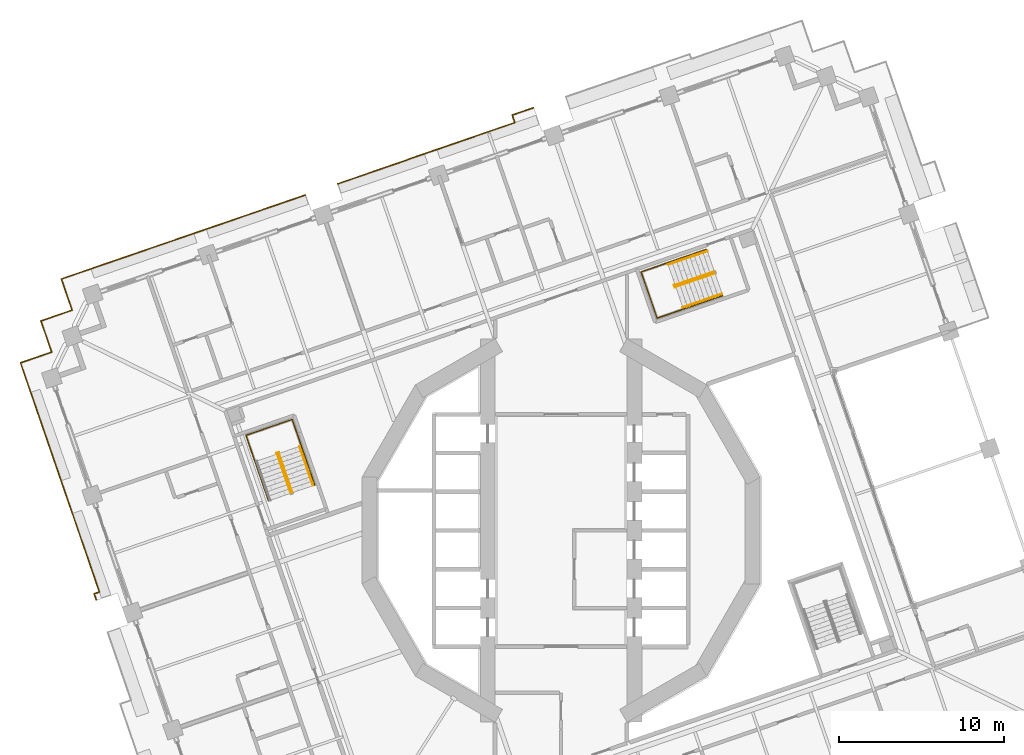
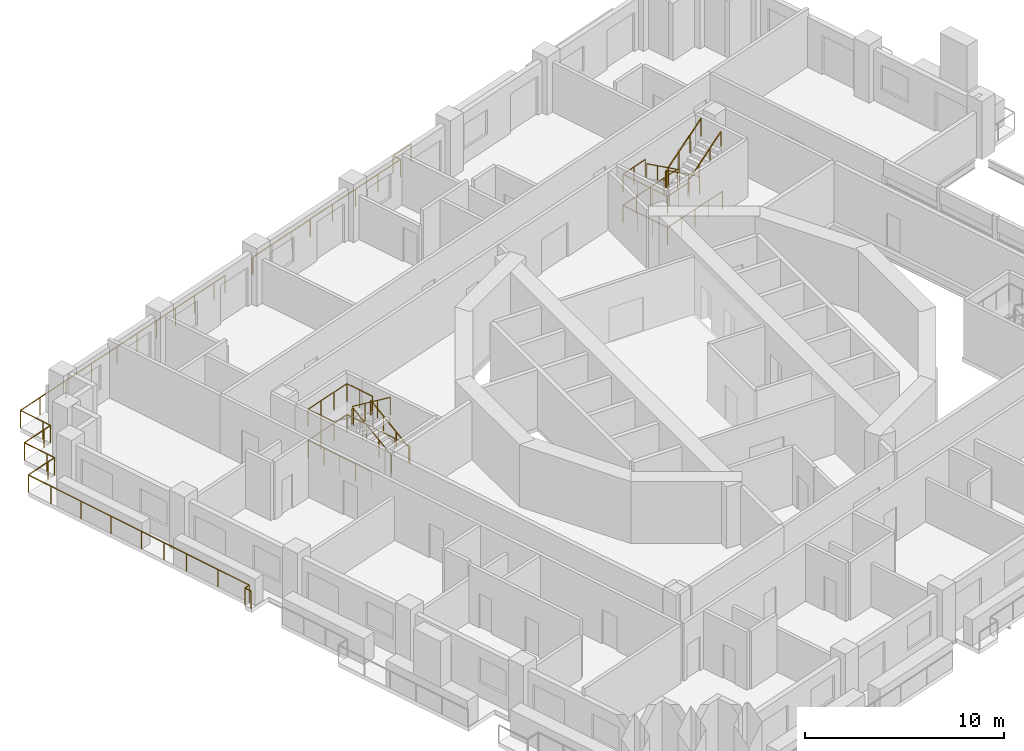
# One storey, part 19 of 21: 14 railings.
"""IFC4 building model written with IfcOpenShell, lengths in metres."""

from ifc_helpers import new_model, si_unit, direction, frame, origin, origin_2d, place, context, subcontext, project, spatial, circle, extrude, material, type_object, element, save


model = new_model("IFC4")

# Units and contexts
model_context = context("Model", 3, precision=1e-05, world=origin(), true_north=direction((0.0, 1.0)))
body_context = subcontext(model_context, "Body", "Model", "MODEL_VIEW")
ifc_project = project(units=[si_unit("LENGTHUNIT", "METRE"), si_unit("AREAUNIT", "SQUARE_METRE"), si_unit("VOLUMEUNIT", "CUBIC_METRE"), si_unit("PLANEANGLEUNIT", "RADIAN"), si_unit("MASSUNIT", "GRAM", prefix="KILO")], contexts=[model_context])

# Site, building, storey
site_placement = place(None, origin())
site = spatial("IfcSite", under=ifc_project, at=site_placement, CompositionType="ELEMENT")
building_placement = place(site_placement, origin())
building = spatial("IfcBuilding", under=site, at=building_placement, Name="Cantera Rosa Tower", CompositionType="ELEMENT")
storey_placement = place(building_placement, frame((0.0, 0.0, 119.300048828125)))
storey = spatial("IfcBuildingStorey", under=building, at=storey_placement, Name="L24", CompositionType="ELEMENT", Elevation=119.300048828125)

# Railings
ifc_material_1 = material(Name="Stainless steel and laminated glass", Category="steel")
railing_type_1 = type_object("IfcRailingType", Name="GUARD 1100", PredefinedType="BALUSTRADE", material=ifc_material_1)
railing_1_placement = place(storey_placement, frame((-29.6689453125, 13.369140625, 0.0)))
element("IfcRailing", 1, at=railing_1_placement, inside=storey, type_object=railing_type_1, Name="GUARD L24-5", PredefinedType="BALUSTRADE", context=body_context, shape_type="SweptSolid", body=[
    extrude(circle(Radius=0.030029296875, at=origin_2d()), frame((0.0, 0.0, 1.070068359375), z_axis=(-0.32573481536, 0.945461173218, 0.0), x_axis=(-0.945461173218, -0.32573481536, 0.0)), (0.0, 0.0, 1.0), 0.5),
    extrude(circle(Radius=0.030029296875, at=origin_2d()), frame((-0.162841796875, 0.47265625, 1.070068359375), z_axis=(-0.325489086777, 0.945545797087, 0.0), x_axis=(-0.945545797087, -0.325489086777, 0.0)), (0.0, 0.0, 1.0), 1.500244140625),
    extrude(circle(Radius=0.030029296875, at=origin_2d()), frame((-0.651123046875, 1.89111328125, 1.070068359375), z_axis=(0.945528551438, 0.325539181077, 0.0), x_axis=(-0.325539181077, 0.945528551438, 0.0)), (0.0, 0.0, 1.0), 1.5),
    extrude(circle(Radius=0.030029296875, at=origin_2d()), frame((0.76708984375, 2.37939453125, 1.070068359375), z_axis=(0.945517123015, 0.325572373037, 0.0), x_axis=(-0.325572373037, 0.945517123015, 0.0)), (0.0, 0.0, 1.0), 5.900146484375),
    extrude(circle(Radius=0.030029296875, at=origin_2d()), frame((6.345703125, 4.30029296875, 1.070068359375), z_axis=(0.945528551438, 0.325539181077, 0.0), x_axis=(-0.325539181077, 0.945528551438, 0.0)), (0.0, 0.0, 1.0), 2.999755859375),
    extrude(circle(Radius=0.030029296875, at=origin_2d()), frame((9.18212890625, 5.27685546875, 1.070068359375), z_axis=(0.945513227049, 0.325583687361, 0.0), x_axis=(-0.325583687361, 0.945513227049, 0.0)), (0.0, 0.0, 1.0), 4.400146484375),
    extrude(circle(Radius=0.030029296875, at=origin_2d()), frame((13.342529296875, 6.70947265625, 1.070068359375), z_axis=(0.945522007901, 0.325558186158, 0.0), x_axis=(-0.325558186158, 0.945522007901, 0.0)), (0.0, 0.0, 1.0), 0.869873046875),
    extrude(circle(Radius=0.02490234375, at=origin_2d()), origin(), (0.0, 0.0, 1.0), 1.0400390625),
    extrude(circle(Radius=0.02490234375, at=origin_2d()), frame((-0.162841796875, 0.47265625, 0.0)), (0.0, 0.0, 1.0), 1.0400390625),
    extrude(circle(Radius=0.02490234375, at=origin_2d()), frame((-0.651123046875, 1.89111328125, 0.0)), (0.0, 0.0, 1.0), 1.0400390625),
    extrude(circle(Radius=0.02490234375, at=origin_2d()), frame((0.76708984375, 2.37939453125, 0.0)), (0.0, 0.0, 1.0), 1.0400390625),
    extrude(circle(Radius=0.02490234375, at=origin_2d()), frame((2.626708984375, 3.019775390625, 0.0)), (0.0, 0.0, 1.0), 1.0400390625),
    extrude(circle(Radius=0.02490234375, at=origin_2d()), frame((4.486083984375, 3.659912109375, 0.0)), (0.0, 0.0, 1.0), 1.0400390625),
    extrude(circle(Radius=0.02490234375, at=origin_2d()), frame((6.345703125, 4.30029296875, 0.0)), (0.0, 0.0, 1.0), 1.0400390625),
    extrude(circle(Radius=0.02490234375, at=origin_2d()), frame((7.763916015625, 4.78857421875, 0.0)), (0.0, 0.0, 1.0), 1.0400390625),
    extrude(circle(Radius=0.02490234375, at=origin_2d()), frame((9.18212890625, 5.27685546875, 0.0)), (0.0, 0.0, 1.0), 1.0400390625),
    extrude(circle(Radius=0.02490234375, at=origin_2d()), frame((10.56884765625, 5.75439453125, 0.0)), (0.0, 0.0, 1.0), 1.0400390625),
    extrude(circle(Radius=0.02490234375, at=origin_2d()), frame((11.955810546875, 6.23193359375, 0.0)), (0.0, 0.0, 1.0), 1.0400390625),
    extrude(circle(Radius=0.02490234375, at=origin_2d()), frame((13.342529296875, 6.70947265625, 0.0)), (0.0, 0.0, 1.0), 1.0400390625),
    extrude(circle(Radius=0.02490234375, at=origin_2d()), frame((14.1650390625, 6.99267578125, 0.0)), (0.0, 0.0, 1.0), 1.0400390625),
])
railing_2_placement = place(storey_placement, frame((-28.19873046875, -4.220458984375, 0.0)))
element("IfcRailing", 2, at=railing_2_placement, inside=storey, type_object=railing_type_1, Name="GUARD L24-6", PredefinedType="BALUSTRADE", context=body_context, shape_type="SweptSolid", body=[
    extrude(circle(Radius=0.030029296875, at=origin_2d()), frame((0.0, 0.0, 1.070068359375), z_axis=(-0.325583372222, 0.945513335566, 0.0), x_axis=(-0.945513335566, -0.325583372222, 0.0)), (0.0, 0.0, 1.0), 0.406494140625),
    extrude(circle(Radius=0.030029296875, at=origin_2d()), frame((-0.13232421875, 0.38427734375, 1.070068359375), z_axis=(0.945442357657, 0.325789423322, 0.0), x_axis=(-0.325789423322, 0.945442357657, 0.0)), (0.0, 0.0, 1.0), 0.33642578125),
    extrude(circle(Radius=0.030029296875, at=origin_2d()), frame((0.185791015625, 0.493896484375, 1.070068359375), z_axis=(-0.325578798078, 0.94551491064, 0.0), x_axis=(-0.94551491064, -0.325578798078, 0.0)), (0.0, 0.0, 1.0), 4.18359375),
    extrude(circle(Radius=0.030029296875, at=origin_2d()), frame((-1.17626953125, 4.449462890625, 1.070068359375), z_axis=(-0.325539181077, 0.945528551438, 0.0), x_axis=(-0.945528551438, -0.325539181077, 0.0)), (0.0, 0.0, 1.0), 2.999755859375),
    extrude(circle(Radius=0.030029296875, at=origin_2d()), frame((-2.15283203125, 7.285888671875, 1.070068359375), z_axis=(-0.325568215952, 0.945518554425, 0.0), x_axis=(-0.945518554425, -0.325568215952, 0.0)), (0.0, 0.0, 1.0), 6.02001953125),
    extrude(circle(Radius=0.030029296875, at=origin_2d()), frame((-4.11279296875, 12.97802734375, 1.070068359375), z_axis=(-0.325539181077, 0.945528551438, 0.0), x_axis=(-0.945528551438, -0.325539181077, 0.0)), (0.0, 0.0, 1.0), 1.5),
    extrude(circle(Radius=0.030029296875, at=origin_2d()), frame((-4.60107421875, 14.396240234375, 1.070068359375), z_axis=(0.945528551438, 0.325539181077, 0.0), x_axis=(-0.325539181077, 0.945528551438, 0.0)), (0.0, 0.0, 1.0), 1.5),
    extrude(circle(Radius=0.030029296875, at=origin_2d()), frame((-3.182861328125, 14.884521484375, 1.070068359375), z_axis=(0.945461173218, 0.32573481536, 0.0), x_axis=(-0.32573481536, 0.945461173218, 0.0)), (0.0, 0.0, 1.0), 0.5),
    extrude(circle(Radius=0.030029296875, at=origin_2d()), frame((-2.710205078125, 15.04736328125, 1.070068359375), z_axis=(-0.325147989177, 0.945663145699, 0.0), x_axis=(-0.945663145699, -0.325147989177, 0.0)), (0.0, 0.0, 1.0), 0.5),
    extrude(circle(Radius=0.030029296875, at=origin_2d()), frame((-2.872802734375, 15.520263671875, 1.070068359375), z_axis=(-0.325684689469, 0.945478441343, 0.0), x_axis=(-0.945478441343, -0.325684689469, 0.0)), (0.0, 0.0, 1.0), 1.5),
    extrude(circle(Radius=0.030029296875, at=origin_2d()), frame((-3.361328125, 16.9384765625, 1.070068359375), z_axis=(0.945545797087, 0.325489086777, 0.0), x_axis=(-0.325489086777, 0.945545797087, 0.0)), (0.0, 0.0, 1.0), 1.500244140625),
    extrude(circle(Radius=0.030029296875, at=origin_2d()), frame((-1.94287109375, 17.4267578125, 1.070068359375), z_axis=(0.945461173218, 0.32573481536, 0.0), x_axis=(-0.32573481536, 0.945461173218, 0.0)), (0.0, 0.0, 1.0), 0.5),
    extrude(circle(Radius=0.02490234375, at=origin_2d()), origin(), (0.0, 0.0, 1.0), 1.0400390625),
    extrude(circle(Radius=0.02490234375, at=origin_2d()), frame((-0.13232421875, 0.38427734375, 0.0)), (0.0, 0.0, 1.0), 1.0400390625),
    extrude(circle(Radius=0.02490234375, at=origin_2d()), frame((0.185791015625, 0.493896484375, 0.0)), (0.0, 0.0, 1.0), 1.0400390625),
    extrude(circle(Radius=0.02490234375, at=origin_2d()), frame((-0.4951171875, 2.4716796875, 0.0)), (0.0, 0.0, 1.0), 1.0400390625),
    extrude(circle(Radius=0.02490234375, at=origin_2d()), frame((-1.17626953125, 4.449462890625, 0.0)), (0.0, 0.0, 1.0), 1.0400390625),
    extrude(circle(Radius=0.02490234375, at=origin_2d()), frame((-1.66455078125, 5.86767578125, 0.0)), (0.0, 0.0, 1.0), 1.0400390625),
    extrude(circle(Radius=0.02490234375, at=origin_2d()), frame((-2.15283203125, 7.285888671875, 0.0)), (0.0, 0.0, 1.0), 1.0400390625),
    extrude(circle(Radius=0.02490234375, at=origin_2d()), frame((-2.80615234375, 9.183349609375, 0.0)), (0.0, 0.0, 1.0), 1.0400390625),
    extrude(circle(Radius=0.02490234375, at=origin_2d()), frame((-3.45947265625, 11.08056640625, 0.0)), (0.0, 0.0, 1.0), 1.0400390625),
    extrude(circle(Radius=0.02490234375, at=origin_2d()), frame((-4.11279296875, 12.97802734375, 0.0)), (0.0, 0.0, 1.0), 1.0400390625),
    extrude(circle(Radius=0.02490234375, at=origin_2d()), frame((-4.60107421875, 14.396240234375, 0.0)), (0.0, 0.0, 1.0), 1.0400390625),
    extrude(circle(Radius=0.02490234375, at=origin_2d()), frame((-3.182861328125, 14.884521484375, 0.0)), (0.0, 0.0, 1.0), 1.0400390625),
    extrude(circle(Radius=0.02490234375, at=origin_2d()), frame((-2.710205078125, 15.04736328125, 0.0)), (0.0, 0.0, 1.0), 1.0400390625),
    extrude(circle(Radius=0.02490234375, at=origin_2d()), frame((-2.872802734375, 15.520263671875, 0.0)), (0.0, 0.0, 1.0), 1.0400390625),
    extrude(circle(Radius=0.02490234375, at=origin_2d()), frame((-3.361328125, 16.9384765625, 0.0)), (0.0, 0.0, 1.0), 1.0400390625),
    extrude(circle(Radius=0.02490234375, at=origin_2d()), frame((-1.94287109375, 17.4267578125, 0.0)), (0.0, 0.0, 1.0), 1.0400390625),
    extrude(circle(Radius=0.02490234375, at=origin_2d()), frame((-1.47021484375, 17.589599609375, 0.0)), (0.0, 0.0, 1.0), 1.0400390625),
])
railing_3_placement = place(storey_placement, frame((-13.55615234375, 21.032470703125, 0.0)))
element("IfcRailing", 3, at=railing_3_placement, inside=storey, type_object=railing_type_1, Name="GUARD L24-7", PredefinedType="BALUSTRADE", context=body_context, shape_type="SweptSolid", body=[
    extrude(circle(Radius=0.030029296875, at=origin_2d()), frame((0.0, 0.0, 1.070068359375), z_axis=(0.946220044844, 0.323523765333, 0.0), x_axis=(-0.323523765333, 0.946220044844, 0.0)), (0.0, 0.0, 1.0), 0.070068359375),
    extrude(circle(Radius=0.030029296875, at=origin_2d()), frame((0.06640625, 0.022705078125, 1.070068359375), z_axis=(0.945513705783, 0.325582297087, 0.0), x_axis=(-0.325582297087, 0.945513705783, 0.0)), (0.0, 0.0, 1.0), 4.38525390625),
    extrude(circle(Radius=0.030029296875, at=origin_2d()), frame((4.212646484375, 1.450439453125, 1.070068359375), z_axis=(-0.331087713029, 0.943599982133, 0.0), x_axis=(-0.943599982133, -0.331087713029, 0.0)), (0.0, 0.0, 1.0), 0.0146484375),
    extrude(circle(Radius=0.030029296875, at=origin_2d()), frame((4.207763671875, 1.46435546875, 1.070068359375), z_axis=(0.945519949949, 0.32556416303, 0.0), x_axis=(-0.32556416303, 0.945519949949, 0.0)), (0.0, 0.0, 1.0), 6.91552734375),
    extrude(circle(Radius=0.030029296875, at=origin_2d()), frame((10.74658203125, 3.7158203125, 1.070068359375), z_axis=(-0.325586807373, 0.94551215268, 0.0), x_axis=(-0.94551215268, -0.325586807373, 0.0)), (0.0, 0.0, 1.0), 0.484375),
    extrude(circle(Radius=0.030029296875, at=origin_2d()), frame((10.5888671875, 4.173828125, 1.070068359375), z_axis=(0.94551689242, 0.325573042723, 0.0), x_axis=(-0.325573042723, 0.94551689242, 0.0)), (0.0, 0.0, 1.0), 1.369384765625),
    extrude(circle(Radius=0.02490234375, at=origin_2d()), origin(), (0.0, 0.0, 1.0), 1.0400390625),
    extrude(circle(Radius=0.02490234375, at=origin_2d()), frame((0.06640625, 0.022705078125, 0.0)), (0.0, 0.0, 1.0), 1.0400390625),
    extrude(circle(Radius=0.02490234375, at=origin_2d()), frame((1.448486328125, 0.49853515625, 0.0)), (0.0, 0.0, 1.0), 1.0400390625),
    extrude(circle(Radius=0.02490234375, at=origin_2d()), frame((2.83056640625, 0.974609375, 0.0)), (0.0, 0.0, 1.0), 1.0400390625),
    extrude(circle(Radius=0.02490234375, at=origin_2d()), frame((4.212646484375, 1.450439453125, 0.0)), (0.0, 0.0, 1.0), 1.0400390625),
    extrude(circle(Radius=0.02490234375, at=origin_2d()), frame((4.207763671875, 1.46435546875, 0.0)), (0.0, 0.0, 1.0), 1.0400390625),
    extrude(circle(Radius=0.02490234375, at=origin_2d()), frame((5.842529296875, 2.02734375, 0.0)), (0.0, 0.0, 1.0), 1.0400390625),
    extrude(circle(Radius=0.02490234375, at=origin_2d()), frame((7.47705078125, 2.590087890625, 0.0)), (0.0, 0.0, 1.0), 1.0400390625),
    extrude(circle(Radius=0.02490234375, at=origin_2d()), frame((9.11181640625, 3.15283203125, 0.0)), (0.0, 0.0, 1.0), 1.0400390625),
    extrude(circle(Radius=0.02490234375, at=origin_2d()), frame((10.74658203125, 3.7158203125, 0.0)), (0.0, 0.0, 1.0), 1.0400390625),
    extrude(circle(Radius=0.02490234375, at=origin_2d()), frame((10.5888671875, 4.173828125, 0.0)), (0.0, 0.0, 1.0), 1.0400390625),
    extrude(circle(Radius=0.02490234375, at=origin_2d()), frame((11.883544921875, 4.61962890625, 0.0)), (0.0, 0.0, 1.0), 1.0400390625),
])
ifc_material_2 = material(Name="Steel S355J2 (EN 10025-2)", Category="steel")
railing_type_2 = type_object("IfcRailingType", Name="STAIR GUARD 1100", PredefinedType="GUARDRAIL", material=ifc_material_2)
railing_4_placement = place(storey_placement, frame((9.307861328125, 15.7021484375, 0.18994140625)))
element("IfcRailing", 4, at=railing_4_placement, inside=storey, type_object=railing_type_2, Name="L24 ST-21 stair guard 1", PredefinedType="GUARDRAIL", context=body_context, shape_type="SweptSolid", body=[
    extrude(circle(Radius=0.02392578125, at=origin_2d()), frame((0.0, 0.0, 1.076171875), z_axis=(-0.782404165978, -0.269432418223, 0.561471186323), x_axis=(0.325599548996, -0.94550776501, 0.0)), (0.0, 0.0, 1.0), 3.04541015625),
    extrude(circle(Radius=0.02392578125, at=origin_2d()), frame((-2.3828125, -0.820556640625, 2.7861328125), z_axis=(-0.989063265047, 0.147491890402, 0.0), x_axis=(-0.147491890402, -0.989063265047, 0.0)), (0.0, 0.0, 1.0), 0.056396484375),
    extrude(circle(Radius=0.02392578125, at=origin_2d()), frame((-2.4384765625, -0.812255859375, 2.7861328125), z_axis=(0.325990683319, -0.945372981626, 0.0), x_axis=(0.945372981626, 0.325990683319, 0.0)), (0.0, 0.0, 1.0), 0.14990234375),
    extrude(circle(Radius=0.02099609375, at=origin_2d()), origin(), (0.0, 0.0, 1.0), 1.052001953125),
    extrude(circle(Radius=0.02099609375, at=origin_2d()), frame((-0.794189453125, -0.2734375, 0.570068359375)), (0.0, 0.0, 1.0), 1.052001953125),
    extrude(circle(Radius=0.02099609375, at=origin_2d()), frame((-1.588623046875, -0.547119140625, 1.139892578125)), (0.0, 0.0, 1.0), 1.052001953125),
    extrude(circle(Radius=0.02099609375, at=origin_2d()), frame((-2.3828125, -0.820556640625, 1.7099609375)), (0.0, 0.0, 1.0), 1.052001953125),
    extrude(circle(Radius=0.02099609375, at=origin_2d()), frame((-2.4384765625, -0.812255859375, 1.7099609375)), (0.0, 0.0, 1.0), 1.052001953125),
    extrude(circle(Radius=0.02099609375, at=origin_2d()), frame((-2.3896484375, -0.953857421875, 1.7099609375)), (0.0, 0.0, 1.0), 1.052001953125),
])
railing_5_placement = place(storey_placement, frame((6.95703125, 14.7890625, 2.08984375)))
element("IfcRailing", 5, at=railing_5_placement, inside=storey, type_object=railing_type_2, Name="L24 ST-21 stair guard 2", PredefinedType="GUARDRAIL", context=body_context, shape_type="SweptSolid", body=[
    extrude(circle(Radius=0.02392578125, at=origin_2d()), frame((0.0, 0.0, 1.076171875), z_axis=(0.782354748911, 0.26936284008, 0.56157342106), x_axis=(-0.325542759796, 0.945527319301, 0.0)), (0.0, 0.0, 1.0), 3.04541015625),
    extrude(circle(Radius=0.02099609375, at=origin_2d()), origin(), (0.0, 0.0, 1.0), 1.052001953125),
    extrude(circle(Radius=0.02099609375, at=origin_2d()), frame((0.794189453125, 0.2734375, 0.570068359375)), (0.0, 0.0, 1.0), 1.052001953125),
    extrude(circle(Radius=0.02099609375, at=origin_2d()), frame((1.58837890625, 0.546875, 1.14013671875)), (0.0, 0.0, 1.0), 1.052001953125),
    extrude(circle(Radius=0.02099609375, at=origin_2d()), frame((2.382568359375, 0.8203125, 1.710205078125)), (0.0, 0.0, 1.0), 1.052001953125),
])
railing_6_placement = place(storey_placement, frame((8.828857421875, 17.055908203125, 0.0)))
element("IfcRailing", 6, at=railing_6_placement, inside=storey, type_object=railing_type_2, Name="L24 ST-21 stair guard 4", PredefinedType="GUARDRAIL", context=body_context, shape_type="SweptSolid", body=[
    extrude(circle(Radius=0.02392578125, at=origin_2d()), frame((0.0, 0.0, 1.076171875), z_axis=(-0.945519978022, -0.325564081496, 0.0), x_axis=(0.325564081496, -0.945519978022, 0.0)), (0.0, 0.0, 1.0), 4.197998046875),
    extrude(circle(Radius=0.02392578125, at=origin_2d()), frame((-3.96923828125, -1.36669921875, 1.076171875), z_axis=(0.325608117645, -0.945504814226, 0.0), x_axis=(0.945504814226, 0.325608117645, 0.0)), (0.0, 0.0, 1.0), 2.969970703125),
    extrude(circle(Radius=0.02392578125, at=origin_2d()), frame((-3.002197265625, -4.1748046875, 1.076171875), z_axis=(0.945519978022, 0.325564081496, 0.0), x_axis=(-0.325564081496, 0.945519978022, 0.0)), (0.0, 0.0, 1.0), 4.197998046875),
    extrude(circle(Radius=0.02099609375, at=origin_2d()), origin(), (0.0, 0.0, 1.0), 1.052001953125),
    extrude(circle(Radius=0.02099609375, at=origin_2d()), frame((-0.9921875, -0.341796875, 0.0)), (0.0, 0.0, 1.0), 1.052001953125),
    extrude(circle(Radius=0.02099609375, at=origin_2d()), frame((-1.984619140625, -0.683349609375, 0.0)), (0.0, 0.0, 1.0), 1.052001953125),
    extrude(circle(Radius=0.02099609375, at=origin_2d()), frame((-2.97705078125, -1.02490234375, 0.0)), (0.0, 0.0, 1.0), 1.052001953125),
    extrude(circle(Radius=0.02099609375, at=origin_2d()), frame((-3.96923828125, -1.36669921875, 0.0)), (0.0, 0.0, 1.0), 1.052001953125),
    extrude(circle(Radius=0.02099609375, at=origin_2d()), frame((-3.64697265625, -2.302734375, 0.0)), (0.0, 0.0, 1.0), 1.052001953125),
    extrude(circle(Radius=0.02099609375, at=origin_2d()), frame((-3.324462890625, -3.23876953125, 0.0)), (0.0, 0.0, 1.0), 1.052001953125),
    extrude(circle(Radius=0.02099609375, at=origin_2d()), frame((-3.002197265625, -4.1748046875, 0.0)), (0.0, 0.0, 1.0), 1.052001953125),
    extrude(circle(Radius=0.02099609375, at=origin_2d()), frame((-2.009765625, -3.8330078125, 0.0)), (0.0, 0.0, 1.0), 1.052001953125),
    extrude(circle(Radius=0.02099609375, at=origin_2d()), frame((-1.017578125, -3.491455078125, 0.0)), (0.0, 0.0, 1.0), 1.052001953125),
    extrude(circle(Radius=0.02099609375, at=origin_2d()), frame((-0.025390625, -3.14990234375, 0.0)), (0.0, 0.0, 1.0), 1.052001953125),
    extrude(circle(Radius=0.02099609375, at=origin_2d()), frame((0.967041015625, -2.80810546875, 0.0)), (0.0, 0.0, 1.0), 1.052001953125),
])
railing_7_placement = place(storey_placement, frame((6.468994140625, 16.243408203125, 1.89990234375)))
element("IfcRailing", 7, at=railing_7_placement, inside=storey, type_object=railing_type_2, Name="L24 ST-21 stair guard 5", PredefinedType="GUARDRAIL", context=body_context, shape_type="SweptSolid", body=[
    extrude(circle(Radius=0.02392578125, at=origin_2d()), frame((0.0, 0.0, 1.076171875), z_axis=(-0.94551008141, -0.32559282233, 0.0), x_axis=(0.32559282233, -0.94551008141, 0.0)), (0.0, 0.0, 1.0), 1.7021484375),
    extrude(circle(Radius=0.02392578125, at=origin_2d()), frame((-1.609375, -0.55419921875, 1.076171875), z_axis=(0.325608117645, -0.945504814226, 0.0), x_axis=(0.945504814226, 0.325608117645, 0.0)), (0.0, 0.0, 1.0), 2.969970703125),
    extrude(circle(Radius=0.02392578125, at=origin_2d()), frame((-0.642333984375, -3.3623046875, 1.076171875), z_axis=(0.945539033546, 0.325508734201, 0.0), x_axis=(-0.325508734201, 0.945539033546, 0.0)), (0.0, 0.0, 1.0), 1.701904296875),
    extrude(circle(Radius=0.02099609375, at=origin_2d()), origin(), (0.0, 0.0, 1.0), 1.052001953125),
    extrude(circle(Radius=0.02099609375, at=origin_2d()), frame((-0.8046875, -0.277099609375, 0.0)), (0.0, 0.0, 1.0), 1.052001953125),
    extrude(circle(Radius=0.02099609375, at=origin_2d()), frame((-1.609375, -0.55419921875, 0.0)), (0.0, 0.0, 1.0), 1.052001953125),
    extrude(circle(Radius=0.02099609375, at=origin_2d()), frame((-1.287109375, -1.490234375, 0.0)), (0.0, 0.0, 1.0), 1.052001953125),
    extrude(circle(Radius=0.02099609375, at=origin_2d()), frame((-0.964599609375, -2.42626953125, 0.0)), (0.0, 0.0, 1.0), 1.052001953125),
    extrude(circle(Radius=0.02099609375, at=origin_2d()), frame((-0.642333984375, -3.3623046875, 0.0)), (0.0, 0.0, 1.0), 1.052001953125),
    extrude(circle(Radius=0.02099609375, at=origin_2d()), frame((0.162109375, -3.08544921875, 0.0)), (0.0, 0.0, 1.0), 1.052001953125),
    extrude(circle(Radius=0.02099609375, at=origin_2d()), frame((0.966796875, -2.808349609375, 0.0)), (0.0, 0.0, 1.0), 1.052001953125),
])
railing_8_placement = place(storey_placement, frame((-16.2978515625, 2.292236328125, 0.18994140625)))
element("IfcRailing", 8, at=railing_8_placement, inside=storey, type_object=railing_type_2, Name="L24 ST-22 stair guard 1", PredefinedType="GUARDRAIL", context=body_context, shape_type="SweptSolid", body=[
    extrude(circle(Radius=0.02392578125, at=origin_2d()), frame((0.0, 0.0, 1.076171875), z_axis=(-0.269432418223, 0.782404165978, 0.561471186323), x_axis=(-0.94550776501, -0.325599548996, 0.0)), (0.0, 0.0, 1.0), 3.04541015625),
    extrude(circle(Radius=0.02392578125, at=origin_2d()), frame((-0.820556640625, 2.3828125, 2.7861328125), z_axis=(0.147491890402, 0.989063265047, 0.0), x_axis=(-0.989063265047, 0.147491890402, 0.0)), (0.0, 0.0, 1.0), 0.056396484375),
    extrude(circle(Radius=0.02392578125, at=origin_2d()), frame((-0.812255859375, 2.4384765625, 2.7861328125), z_axis=(-0.945372981626, -0.325990683319, 0.0), x_axis=(0.325990683319, -0.945372981626, 0.0)), (0.0, 0.0, 1.0), 0.14990234375),
    extrude(circle(Radius=0.02099609375, at=origin_2d()), origin(), (0.0, 0.0, 1.0), 1.052001953125),
    extrude(circle(Radius=0.02099609375, at=origin_2d()), frame((-0.2734375, 0.794189453125, 0.570068359375)), (0.0, 0.0, 1.0), 1.052001953125),
    extrude(circle(Radius=0.02099609375, at=origin_2d()), frame((-0.547119140625, 1.588623046875, 1.139892578125)), (0.0, 0.0, 1.0), 1.052001953125),
    extrude(circle(Radius=0.02099609375, at=origin_2d()), frame((-0.820556640625, 2.3828125, 1.7099609375)), (0.0, 0.0, 1.0), 1.052001953125),
    extrude(circle(Radius=0.02099609375, at=origin_2d()), frame((-0.812255859375, 2.4384765625, 1.7099609375)), (0.0, 0.0, 1.0), 1.052001953125),
    extrude(circle(Radius=0.02099609375, at=origin_2d()), frame((-0.953857421875, 2.3896484375, 1.7099609375)), (0.0, 0.0, 1.0), 1.052001953125),
])
railing_9_placement = place(storey_placement, frame((-17.2109375, 4.64306640625, 2.08984375)))
element("IfcRailing", 9, at=railing_9_placement, inside=storey, type_object=railing_type_2, Name="L24 ST-22 stair guard 2", PredefinedType="GUARDRAIL", context=body_context, shape_type="SweptSolid", body=[
    extrude(circle(Radius=0.02392578125, at=origin_2d()), frame((0.0, 0.0, 1.076171875), z_axis=(0.269345946519, -0.782385844651, 0.561538201002), x_axis=(0.945537585866, 0.325512939397, 0.0)), (0.0, 0.0, 1.0), 3.045654296875),
    extrude(circle(Radius=0.02099609375, at=origin_2d()), origin(), (0.0, 0.0, 1.0), 1.052001953125),
    extrude(circle(Radius=0.02099609375, at=origin_2d()), frame((0.2734375, -0.794189453125, 0.570068359375)), (0.0, 0.0, 1.0), 1.052001953125),
    extrude(circle(Radius=0.02099609375, at=origin_2d()), frame((0.546875, -1.588623046875, 1.14013671875)), (0.0, 0.0, 1.0), 1.052001953125),
    extrude(circle(Radius=0.02099609375, at=origin_2d()), frame((0.8203125, -2.3828125, 1.710205078125)), (0.0, 0.0, 1.0), 1.052001953125),
])
railing_10_placement = place(storey_placement, frame((-14.944091796875, 2.77099609375, 0.0)))
element("IfcRailing", 10, at=railing_10_placement, inside=storey, type_object=railing_type_2, Name="L24 ST-22 stair guard 4", PredefinedType="GUARDRAIL", context=body_context, shape_type="SweptSolid", body=[
    extrude(circle(Radius=0.02392578125, at=origin_2d()), frame((0.0, 0.0, 1.076171875), z_axis=(-0.325546180042, 0.945526141712, 0.0), x_axis=(-0.945526141712, -0.325546180042, 0.0)), (0.0, 0.0, 1.0), 4.1982421875),
    extrude(circle(Radius=0.02392578125, at=origin_2d()), frame((-1.36669921875, 3.969482421875, 1.076171875), z_axis=(-0.945504814226, -0.325608117645, 0.0), x_axis=(0.325608117645, -0.945504814226, 0.0)), (0.0, 0.0, 1.0), 2.969970703125),
    extrude(circle(Radius=0.02392578125, at=origin_2d()), frame((-4.1748046875, 3.00244140625, 1.076171875), z_axis=(0.325564081496, -0.945519978022, 0.0), x_axis=(0.945519978022, 0.325564081496, 0.0)), (0.0, 0.0, 1.0), 4.197998046875),
    extrude(circle(Radius=0.02099609375, at=origin_2d()), origin(), (0.0, 0.0, 1.0), 1.052001953125),
    extrude(circle(Radius=0.02099609375, at=origin_2d()), frame((-0.341796875, 0.992431640625, 0.0)), (0.0, 0.0, 1.0), 1.052001953125),
    extrude(circle(Radius=0.02099609375, at=origin_2d()), frame((-0.683349609375, 1.98486328125, 0.0)), (0.0, 0.0, 1.0), 1.052001953125),
    extrude(circle(Radius=0.02099609375, at=origin_2d()), frame((-1.02490234375, 2.97705078125, 0.0)), (0.0, 0.0, 1.0), 1.052001953125),
    extrude(circle(Radius=0.02099609375, at=origin_2d()), frame((-1.36669921875, 3.969482421875, 0.0)), (0.0, 0.0, 1.0), 1.052001953125),
    extrude(circle(Radius=0.02099609375, at=origin_2d()), frame((-2.302734375, 3.647216796875, 0.0)), (0.0, 0.0, 1.0), 1.052001953125),
    extrude(circle(Radius=0.02099609375, at=origin_2d()), frame((-3.23876953125, 3.32470703125, 0.0)), (0.0, 0.0, 1.0), 1.052001953125),
    extrude(circle(Radius=0.02099609375, at=origin_2d()), frame((-4.1748046875, 3.00244140625, 0.0)), (0.0, 0.0, 1.0), 1.052001953125),
    extrude(circle(Radius=0.02099609375, at=origin_2d()), frame((-3.8330078125, 2.01025390625, 0.0)), (0.0, 0.0, 1.0), 1.052001953125),
    extrude(circle(Radius=0.02099609375, at=origin_2d()), frame((-3.491455078125, 1.017822265625, 0.0)), (0.0, 0.0, 1.0), 1.052001953125),
    extrude(circle(Radius=0.02099609375, at=origin_2d()), frame((-3.14990234375, 0.025390625, 0.0)), (0.0, 0.0, 1.0), 1.052001953125),
    extrude(circle(Radius=0.02099609375, at=origin_2d()), frame((-2.80810546875, -0.966796875, 0.0)), (0.0, 0.0, 1.0), 1.052001953125),
])
railing_11_placement = place(storey_placement, frame((-15.756591796875, 5.131103515625, 1.89990234375)))
element("IfcRailing", 11, at=railing_11_placement, inside=storey, type_object=railing_type_2, Name="L24 ST-22 stair guard 5", PredefinedType="GUARDRAIL", context=body_context, shape_type="SweptSolid", body=[
    extrude(circle(Radius=0.02392578125, at=origin_2d()), frame((0.0, 0.0, 1.076171875), z_axis=(-0.32559282233, 0.94551008141, 0.0), x_axis=(-0.94551008141, -0.32559282233, 0.0)), (0.0, 0.0, 1.0), 1.7021484375),
    extrude(circle(Radius=0.02392578125, at=origin_2d()), frame((-0.55419921875, 1.609375, 1.076171875), z_axis=(-0.945504814226, -0.325608117645, 0.0), x_axis=(0.325608117645, -0.945504814226, 0.0)), (0.0, 0.0, 1.0), 2.969970703125),
    extrude(circle(Radius=0.02392578125, at=origin_2d()), frame((-3.3623046875, 0.642333984375, 1.076171875), z_axis=(0.325464585813, -0.945554230799, 0.0), x_axis=(0.945554230799, 0.325464585813, 0.0)), (0.0, 0.0, 1.0), 1.7021484375),
    extrude(circle(Radius=0.02099609375, at=origin_2d()), origin(), (0.0, 0.0, 1.0), 1.052001953125),
    extrude(circle(Radius=0.02099609375, at=origin_2d()), frame((-0.277099609375, 0.8046875, 0.0)), (0.0, 0.0, 1.0), 1.052001953125),
    extrude(circle(Radius=0.02099609375, at=origin_2d()), frame((-0.55419921875, 1.609375, 0.0)), (0.0, 0.0, 1.0), 1.052001953125),
    extrude(circle(Radius=0.02099609375, at=origin_2d()), frame((-1.490234375, 1.287109375, 0.0)), (0.0, 0.0, 1.0), 1.052001953125),
    extrude(circle(Radius=0.02099609375, at=origin_2d()), frame((-2.42626953125, 0.964599609375, 0.0)), (0.0, 0.0, 1.0), 1.052001953125),
    extrude(circle(Radius=0.02099609375, at=origin_2d()), frame((-3.3623046875, 0.642333984375, 0.0)), (0.0, 0.0, 1.0), 1.052001953125),
    extrude(circle(Radius=0.02099609375, at=origin_2d()), frame((-3.08544921875, -0.162353515625, 0.0)), (0.0, 0.0, 1.0), 1.052001953125),
    extrude(circle(Radius=0.02099609375, at=origin_2d()), frame((-2.808349609375, -0.967041015625, 0.0)), (0.0, 0.0, 1.0), 1.052001953125),
])
ifc_material_3 = material(Name="Steel S355J2 (EN 10025-2)", Category="steel")
railing_type_3 = type_object("IfcRailingType", Name="STAIR HANDRAIL 900", PredefinedType="HANDRAIL", material=ifc_material_3)
railing_12_placement = place(storey_placement, frame((8.8759765625, 16.955810546875, 0.18994140625)))
element("IfcRailing", 12, at=railing_12_placement, inside=storey, type_object=railing_type_3, Name="L24 ST-21 stair handrail 1", PredefinedType="HANDRAIL", context=body_context, shape_type="SweptSolid", body=[
    extrude(circle(Radius=0.02392578125, at=origin_2d()), frame((0.0, 0.0, 0.8759765625), z_axis=(-0.782389970342, -0.269374966733, 0.561518531845), x_axis=(0.325542759796, -0.945527319301, 0.0)), (0.0, 0.0, 1.0), 3.045166015625),
    extrude(circle(Radius=0.02099609375, at=origin_2d()), origin(), (0.0, 0.0, 1.0), 0.851806640625),
    extrude(circle(Radius=0.02099609375, at=origin_2d()), frame((-0.794189453125, -0.2734375, 0.570068359375)), (0.0, 0.0, 1.0), 0.851806640625),
    extrude(circle(Radius=0.02099609375, at=origin_2d()), frame((-1.58837890625, -0.546875, 1.139892578125)), (0.0, 0.0, 1.0), 0.851806640625),
    extrude(circle(Radius=0.02099609375, at=origin_2d()), frame((-2.382568359375, -0.8203125, 1.7099609375)), (0.0, 0.0, 1.0), 0.851806640625),
])
railing_13_placement = place(storey_placement, frame((7.388671875, 13.53515625, 2.08984375)))
element("IfcRailing", 13, at=railing_13_placement, inside=storey, type_object=railing_type_3, Name="L24 ST-21 stair handrail 2", PredefinedType="HANDRAIL", context=body_context, shape_type="SweptSolid", body=[
    extrude(circle(Radius=0.02392578125, at=origin_2d()), frame((0.0, 0.0, 0.8759765625), z_axis=(0.782368949847, 0.269420291028, 0.561526075172), x_axis=(-0.325599548996, 0.94550776501, 0.0)), (0.0, 0.0, 1.0), 3.045654296875),
    extrude(circle(Radius=0.02099609375, at=origin_2d()), origin(), (0.0, 0.0, 1.0), 0.851806640625),
    extrude(circle(Radius=0.02099609375, at=origin_2d()), frame((0.794189453125, 0.2734375, 0.570068359375)), (0.0, 0.0, 1.0), 0.851806640625),
    extrude(circle(Radius=0.02099609375, at=origin_2d()), frame((1.588623046875, 0.547119140625, 1.14013671875)), (0.0, 0.0, 1.0), 0.851806640625),
    extrude(circle(Radius=0.02099609375, at=origin_2d()), frame((2.3828125, 0.820556640625, 1.710205078125)), (0.0, 0.0, 1.0), 0.851806640625),
])
railing_14_placement = place(storey_placement, frame((-15.044189453125, 2.723876953125, 0.18994140625)))
element("IfcRailing", 14, at=railing_14_placement, inside=storey, type_object=railing_type_3, Name="L24 ST-22 stair handrail 1", PredefinedType="HANDRAIL", context=body_context, shape_type="SweptSolid", body=[
    extrude(circle(Radius=0.02392578125, at=origin_2d()), frame((0.0, 0.0, 0.8759765625), z_axis=(-0.269358070891, 0.782421063063, 0.561483312059), x_axis=(-0.945537585866, -0.325512939397, 0.0)), (0.0, 0.0, 1.0), 3.04541015625),
    extrude(circle(Radius=0.02099609375, at=origin_2d()), origin(), (0.0, 0.0, 1.0), 0.851806640625),
    extrude(circle(Radius=0.02099609375, at=origin_2d()), frame((-0.2734375, 0.794189453125, 0.570068359375)), (0.0, 0.0, 1.0), 0.851806640625),
    extrude(circle(Radius=0.02099609375, at=origin_2d()), frame((-0.546875, 1.588623046875, 1.139892578125)), (0.0, 0.0, 1.0), 0.851806640625),
    extrude(circle(Radius=0.02099609375, at=origin_2d()), frame((-0.8203125, 2.3828125, 1.7099609375)), (0.0, 0.0, 1.0), 0.851806640625),
])

save(model, "model.ifc")
